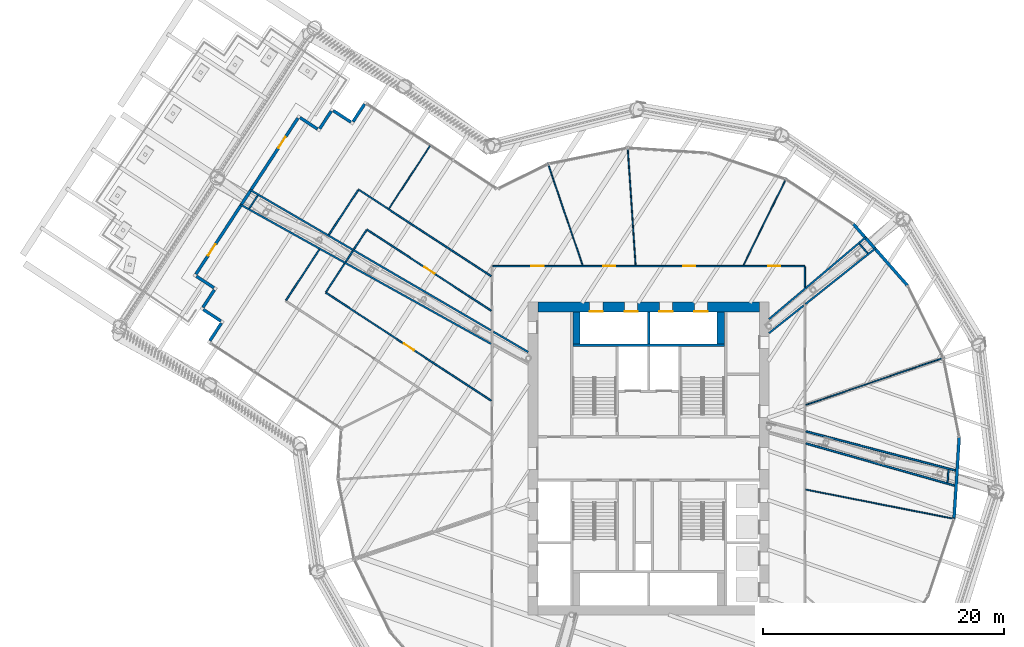
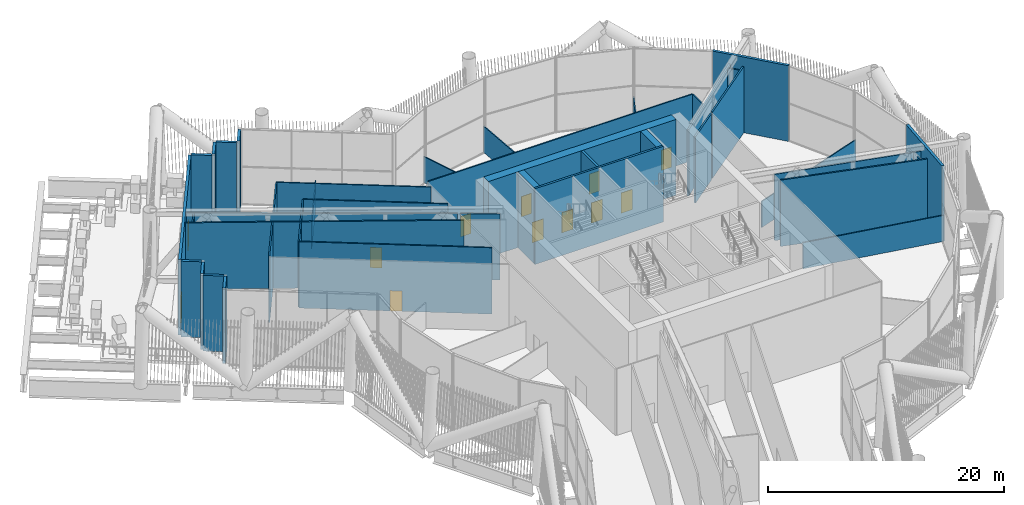
# One storey, part 41 of 63: 43 walls, 12 doors, 12 openings.
"""IFC4 building model written with IfcOpenShell, lengths in metres."""

from ifc_helpers import new_model, si_unit, direction, frame, frame_2d, origin, place, context, subcontext, project, spatial, rectangle, extrude, material, layer, layer_set, type_object, element, fill, save


model = new_model("IFC4")

# Units and contexts
model_context = context("Model", 3, precision=1e-05, world=origin(), true_north=direction((0.0, 1.0)))
body_context = subcontext(model_context, "Body", "Model", "MODEL_VIEW")
ifc_project = project(units=[si_unit("LENGTHUNIT", "METRE"), si_unit("AREAUNIT", "SQUARE_METRE"), si_unit("VOLUMEUNIT", "CUBIC_METRE"), si_unit("PLANEANGLEUNIT", "RADIAN"), si_unit("MASSUNIT", "GRAM", prefix="KILO")], contexts=[model_context])

# Site, building, storey
site_placement = place(None, origin())
site = spatial("IfcSite", under=ifc_project, at=site_placement, CompositionType="ELEMENT")
building_placement = place(site_placement, origin())
building = spatial("IfcBuilding", under=site, at=building_placement, Name="Tarsis Ring Headquarters", CompositionType="ELEMENT")
storey_placement = place(building_placement, frame((0.0, 0.0, 139.60009765625)))
storey = spatial("IfcBuildingStorey", under=building, at=storey_placement, Name="L32", CompositionType="ELEMENT", Elevation=139.60009765625)

# Wall, openings, doors
ifc_material_1 = material(Name="Concrete C60/75", Category="concrete")
ifc_layer_1 = layer(ifc_material_1, 0.800048828125)
ifc_layer_set_1 = layer_set([ifc_layer_1], Name="Core wall 800 C60/75")
wall_type_1 = type_object("IfcWallType", Name="Core wall 800 C60/75", PredefinedType="SHEAR", material=ifc_layer_set_1)
wall_1_placement = place(storey_placement, frame((-9.199951171875, 12.60009765625, 0.0), z_axis=(0.0, 0.0, 1.0), x_axis=(1.0, 0.0, 0.0)))
wall_1 = element("IfcWall", 1, at=wall_1_placement, inside=storey, type_object=wall_type_1, Name="Core wall ON", PredefinedType="SHEAR", context=body_context, shape_type="SweptSolid", body=[
    extrude(rectangle(XDim=18.39990234375, YDim=0.800048828125, at=frame_2d((9.199951171875, 0.0))), origin(), (0.0, 0.0, 1.0), 7.83984375),
])
opening_1_placement = place(wall_1_placement, frame((4.300048828125, 0.0, 0.0)))
opening_1 = element("IfcOpeningElement", 2, at=opening_1_placement, cuts=wall_1, Name="Opening LD-S321", PredefinedType="OPENING", context=body_context, shape_type="SweptSolid", body=[
    extrude(rectangle(XDim=1.10009765625, YDim=2.10009765625, at=frame_2d((0.550048828125, 1.050048828125))), frame((0.0, 0.409912109375, 0.0), z_axis=(0.0, -1.0, 0.0), x_axis=(1.0, 0.0, 0.0)), (0.0, 0.0, 1.0), 0.820068359375),
])
opening_2_placement = place(wall_1_placement, frame((7.199951171875, 0.0, 0.0)))
opening_2 = element("IfcOpeningElement", 3, at=opening_2_placement, cuts=wall_1, Name="Opening LD-S322", PredefinedType="OPENING", context=body_context, shape_type="SweptSolid", body=[
    extrude(rectangle(XDim=1.10009765625, YDim=2.10009765625, at=frame_2d((0.550048828125, 1.050048828125))), frame((0.0, 0.409912109375, 0.0), z_axis=(0.0, -1.0, 0.0), x_axis=(1.0, 0.0, 0.0)), (0.0, 0.0, 1.0), 0.820068359375),
])
opening_3_placement = place(wall_1_placement, frame((10.10009765625, 0.0, 0.0)))
opening_3 = element("IfcOpeningElement", 4, at=opening_3_placement, cuts=wall_1, Name="Opening LD-S323", PredefinedType="OPENING", context=body_context, shape_type="SweptSolid", body=[
    extrude(rectangle(XDim=1.10009765625, YDim=2.10009765625, at=frame_2d((0.550048828125, 1.050048828125))), frame((0.0, 0.409912109375, 0.0), z_axis=(0.0, -1.0, 0.0), x_axis=(1.0, 0.0, 0.0)), (0.0, 0.0, 1.0), 0.820068359375),
])
opening_4_placement = place(wall_1_placement, frame((13.0, 0.0, 0.0)))
opening_4 = element("IfcOpeningElement", 5, at=opening_4_placement, cuts=wall_1, Name="Opening LD-S324", PredefinedType="OPENING", context=body_context, shape_type="SweptSolid", body=[
    extrude(rectangle(XDim=1.10009765625, YDim=2.10009765625, at=frame_2d((0.550048828125, 1.050048828125))), frame((0.0, 0.409912109375, 0.0), z_axis=(0.0, -1.0, 0.0), x_axis=(1.0, 0.0, 0.0)), (0.0, 0.0, 1.0), 0.820068359375),
])
ifc_material_2 = material(Name="Steel S355", Category="steel")
door_type_1 = type_object("IfcDoorType", Name="Landing door 1100x2100", OperationType="SLIDING_TO_LEFT", PredefinedType="DOOR", material=ifc_material_2)
door_1_placement = place(opening_1_placement, origin())
door_1 = element("IfcDoor", 6, at=door_1_placement, inside=storey, type_object=door_type_1, Name="Landing door S321 L32", OperationType="SLIDING_TO_LEFT", OverallHeight=2.10009765625, OverallWidth=1.10009765625, PredefinedType="DOOR", context=body_context, shape_type="SweptSolid", body=[
    extrude(rectangle(XDim=1.10009765625, YDim=2.10009765625, at=frame_2d((0.550048828125, 1.050048828125))), frame((0.0, -0.35009765625, 0.0), z_axis=(0.0, -1.0, 0.0), x_axis=(1.0, 0.0, 0.0)), (0.0, 0.0, 1.0), 0.050048828125),
])
fill(opening_1, door_1)
door_2_placement = place(opening_2_placement, origin())
door_2 = element("IfcDoor", 7, at=door_2_placement, inside=storey, type_object=door_type_1, Name="Landing door S322 L32", OperationType="SLIDING_TO_LEFT", OverallHeight=2.10009765625, OverallWidth=1.10009765625, PredefinedType="DOOR", context=body_context, shape_type="SweptSolid", body=[
    extrude(rectangle(XDim=1.10009765625, YDim=2.10009765625, at=frame_2d((0.550048828125, 1.050048828125))), frame((0.0, -0.35009765625, 0.0), z_axis=(0.0, -1.0, 0.0), x_axis=(1.0, 0.0, 0.0)), (0.0, 0.0, 1.0), 0.050048828125),
])
fill(opening_2, door_2)
door_3_placement = place(opening_3_placement, origin())
door_3 = element("IfcDoor", 8, at=door_3_placement, inside=storey, type_object=door_type_1, Name="Landing door S323 L32", OperationType="SLIDING_TO_LEFT", OverallHeight=2.10009765625, OverallWidth=1.10009765625, PredefinedType="DOOR", context=body_context, shape_type="SweptSolid", body=[
    extrude(rectangle(XDim=1.10009765625, YDim=2.10009765625, at=frame_2d((0.550048828125, 1.050048828125))), frame((0.0, -0.35009765625, 0.0), z_axis=(0.0, -1.0, 0.0), x_axis=(1.0, 0.0, 0.0)), (0.0, 0.0, 1.0), 0.050048828125),
])
fill(opening_3, door_3)
door_4_placement = place(opening_4_placement, origin())
door_4 = element("IfcDoor", 9, at=door_4_placement, inside=storey, type_object=door_type_1, Name="Landing door S324 L32", OperationType="SLIDING_TO_LEFT", OverallHeight=2.10009765625, OverallWidth=1.10009765625, PredefinedType="DOOR", context=body_context, shape_type="SweptSolid", body=[
    extrude(rectangle(XDim=1.10009765625, YDim=2.10009765625, at=frame_2d((0.550048828125, 1.050048828125))), frame((0.0, -0.35009765625, 0.0), z_axis=(0.0, -1.0, 0.0), x_axis=(1.0, 0.0, 0.0)), (0.0, 0.0, 1.0), 0.050048828125),
])
fill(opening_4, door_4)

# Walls
ifc_material_3 = material(Name="Gypsum board on steel studs", Category="steel")
ifc_layer_2 = layer(ifc_material_3, 0.10009765625)
ifc_layer_set_2 = layer_set([ifc_layer_2], Name="FL partition 100 unrated")
wall_type_2 = type_object("IfcWallType", Name="FL partition 100 unrated", PredefinedType="PARTITIONING", material=ifc_layer_set_2)
wall_2_placement = place(storey_placement, frame((13.068603515625, -2.578125, 0.0), z_axis=(0.0, 0.0, 1.0), x_axis=(0.981089683082, -0.19355369733, 0.0)))
element("IfcWall", 10, at=wall_2_placement, inside=storey, type_object=wall_type_2, Name="Partition PW3", PredefinedType="PARTITIONING", context=body_context, shape_type="SweptSolid", body=[
    extrude(rectangle(XDim=12.62744140625, YDim=0.10009765625, at=frame_2d((6.313720703125, 0.0))), origin(), (0.0, 0.0, 1.0), 2.699951171875),
])
wall_3_placement = place(storey_placement, frame((13.07568359375, 4.46142578125, 0.0), z_axis=(0.0, 0.0, 1.0), x_axis=(0.946423829492, 0.322927135698, 0.0)))
element("IfcWall", 11, at=wall_3_placement, inside=storey, type_object=wall_type_2, Name="Partition PW3", PredefinedType="PARTITIONING", context=body_context, shape_type="SweptSolid", body=[
    extrude(rectangle(XDim=12.1318359375, YDim=0.10009765625, at=frame_2d((6.06591796875, 0.0))), origin(), (0.0, 0.0, 1.0), 2.699951171875),
])
wall_4_placement = place(storey_placement, frame((-1.73779296875, 25.8896484375, 0.0), z_axis=(0.0, 0.0, 1.0), x_axis=(0.066976710643, -0.997754539068, 0.0)))
element("IfcWall", 12, at=wall_4_placement, inside=storey, type_object=wall_type_2, Name="Partition PW3", PredefinedType="PARTITIONING", context=body_context, shape_type="SweptSolid", body=[
    extrude(rectangle(XDim=9.842041015625, YDim=0.10009765625, at=frame_2d((4.9208984375, 0.0))), origin(), (0.0, 0.0, 1.0), 2.699951171875),
])
wall_5_placement = place(storey_placement, frame((-8.379150390625, 24.5576171875, 0.0), z_axis=(0.0, 0.0, 1.0), x_axis=(0.322921296738, -0.94642582177, 0.0)))
element("IfcWall", 13, at=wall_5_placement, inside=storey, type_object=wall_type_2, Name="Partition PW3", PredefinedType="PARTITIONING", context=body_context, shape_type="SweptSolid", body=[
    extrude(rectangle(XDim=8.962158203125, YDim=0.10009765625, at=frame_2d((4.48095703125, 0.0))), origin(), (0.0, 0.0, 1.0), 2.699951171875),
])
wall_6_placement = place(storey_placement, frame((7.898681640625, 16.080810546875, 0.0), z_axis=(0.0, 0.0, 1.0), x_axis=(0.440904309262, 0.897554115401, 0.0)))
element("IfcWall", 14, at=wall_6_placement, inside=storey, type_object=wall_type_2, Name="Partition PW3", PredefinedType="PARTITIONING", context=body_context, shape_type="SweptSolid", body=[
    extrude(rectangle(XDim=8.03173828125, YDim=0.10009765625, at=frame_2d((4.015869140625, 0.0))), origin(), (0.0, 0.0, 1.0), 2.699951171875),
])
wall_7_placement = place(storey_placement, frame((-21.56591796875, 20.780029296875, 0.0), z_axis=(0.0, 0.0, 1.0), x_axis=(0.54701109452, 0.837125356486, 0.0)))
element("IfcWall", 15, at=wall_7_placement, inside=storey, type_object=wall_type_2, Name="Partition PW3", PredefinedType="PARTITIONING", context=body_context, shape_type="SweptSolid", body=[
    extrude(rectangle(XDim=6.35009765625, YDim=0.10009765625, at=frame_2d((3.175048828125, 0.0))), origin(), (0.0, 0.0, 1.0), 2.699951171875),
])

# Wall, openings, doors
ifc_layer_3 = layer(ifc_material_3, 0.125)
ifc_layer_set_3 = layer_set([ifc_layer_3], Name="FL partition 125 EI 60 H6870")
wall_type_3 = type_object("IfcWallType", Name="FL partition 125 EI 60 H6870", PredefinedType="PARTITIONING", material=ifc_layer_set_3)
wall_8_placement = place(storey_placement, frame((-12.93994140625, 16.0, 0.0), z_axis=(0.0, 0.0, 1.0), x_axis=(1.0, 0.0, 0.0)))
wall_8 = element("IfcWall", 16, at=wall_8_placement, inside=storey, type_object=wall_type_3, Name="Partition PW1H687", PredefinedType="PARTITIONING", context=body_context, shape_type="SweptSolid", body=[
    extrude(rectangle(XDim=25.93994140625, YDim=0.125, at=frame_2d((12.969970703125, 0.0))), origin(), (0.0, 0.0, 1.0), 6.869873046875),
])
opening_5_placement = place(wall_8_placement, frame((3.210205078125, 0.0, 0.0)))
opening_5 = element("IfcOpeningElement", 17, at=opening_5_placement, cuts=wall_8, Name="Opening D32.02", PredefinedType="OPENING", context=body_context, shape_type="SweptSolid", body=[
    extrude(rectangle(XDim=1.0, YDim=2.10009765625, at=frame_2d((0.5, 1.050048828125))), frame((0.0, 0.072509765625, 0.0), z_axis=(0.0, -1.0, 0.0), x_axis=(1.0, 0.0, 0.0)), (0.0, 0.0, 1.0), 0.14501953125),
])
opening_6_placement = place(wall_8_placement, frame((9.17333984375, 0.0, 0.0)))
opening_6 = element("IfcOpeningElement", 18, at=opening_6_placement, cuts=wall_8, Name="Opening D32.03", PredefinedType="OPENING", context=body_context, shape_type="SweptSolid", body=[
    extrude(rectangle(XDim=1.0, YDim=2.10009765625, at=frame_2d((0.5, 1.050048828125))), frame((0.0, 0.072509765625, 0.0), z_axis=(0.0, -1.0, 0.0), x_axis=(1.0, 0.0, 0.0)), (0.0, 0.0, 1.0), 0.14501953125),
])
opening_7_placement = place(wall_8_placement, frame((15.83251953125, 0.0, 0.0)))
opening_7 = element("IfcOpeningElement", 19, at=opening_7_placement, cuts=wall_8, Name="Opening D32.04", PredefinedType="OPENING", context=body_context, shape_type="SweptSolid", body=[
    extrude(rectangle(XDim=1.0, YDim=2.10009765625, at=frame_2d((0.5, 1.050048828125))), frame((0.0, 0.072509765625, 0.0), z_axis=(0.0, -1.0, 0.0), x_axis=(1.0, 0.0, 0.0)), (0.0, 0.0, 1.0), 0.14501953125),
])
opening_8_placement = place(wall_8_placement, frame((22.86962890625, 0.0, 0.0)))
opening_8 = element("IfcOpeningElement", 20, at=opening_8_placement, cuts=wall_8, Name="Opening D32.05", PredefinedType="OPENING", context=body_context, shape_type="SweptSolid", body=[
    extrude(rectangle(XDim=1.0, YDim=2.10009765625, at=frame_2d((0.5, 1.050048828125))), frame((0.0, 0.072509765625, 0.0), z_axis=(0.0, -1.0, 0.0), x_axis=(1.0, 0.0, 0.0)), (0.0, 0.0, 1.0), 0.14501953125),
])
ifc_material_4 = material(Name="Fire-rated timber door leaf in steel frame", Category="steel")
door_type_2 = type_object("IfcDoorType", Name="FL door FD60-1000", OperationType="NOTDEFINED", PredefinedType="DOOR", material=ifc_material_4)
door_5_placement = place(opening_5_placement, origin())
door_5 = element("IfcDoor", 21, at=door_5_placement, inside=storey, type_object=door_type_2, Name="Door D32.02", OperationType="SINGLE_SWING_RIGHT", OverallHeight=2.10009765625, OverallWidth=1.0, PredefinedType="DOOR", context=body_context, shape_type="SweptSolid", body=[
    extrude(rectangle(XDim=1.0, YDim=2.10009765625, at=frame_2d((0.5, 1.050048828125))), frame((0.0, 0.02490234375, 0.0), z_axis=(0.0, -1.0, 0.0), x_axis=(1.0, 0.0, 0.0)), (0.0, 0.0, 1.0), 0.050048828125),
])
fill(opening_5, door_5)
door_6_placement = place(opening_6_placement, origin())
door_6 = element("IfcDoor", 22, at=door_6_placement, inside=storey, type_object=door_type_2, Name="Door D32.03", OperationType="SINGLE_SWING_LEFT", OverallHeight=2.10009765625, OverallWidth=1.0, PredefinedType="DOOR", context=body_context, shape_type="SweptSolid", body=[
    extrude(rectangle(XDim=1.0, YDim=2.10009765625, at=frame_2d((0.5, 1.050048828125))), frame((0.0, 0.02490234375, 0.0), z_axis=(0.0, -1.0, 0.0), x_axis=(1.0, 0.0, 0.0)), (0.0, 0.0, 1.0), 0.050048828125),
])
fill(opening_6, door_6)
door_7_placement = place(opening_7_placement, origin())
door_7 = element("IfcDoor", 23, at=door_7_placement, inside=storey, type_object=door_type_2, Name="Door D32.04", OperationType="SINGLE_SWING_RIGHT", OverallHeight=2.10009765625, OverallWidth=1.0, PredefinedType="DOOR", context=body_context, shape_type="SweptSolid", body=[
    extrude(rectangle(XDim=1.0, YDim=2.10009765625, at=frame_2d((0.5, 1.050048828125))), frame((0.0, 0.02490234375, 0.0), z_axis=(0.0, -1.0, 0.0), x_axis=(1.0, 0.0, 0.0)), (0.0, 0.0, 1.0), 0.050048828125),
])
fill(opening_7, door_7)
door_8_placement = place(opening_8_placement, origin())
door_8 = element("IfcDoor", 24, at=door_8_placement, inside=storey, type_object=door_type_2, Name="Door D32.05", OperationType="SINGLE_SWING_LEFT", OverallHeight=2.10009765625, OverallWidth=1.0, PredefinedType="DOOR", context=body_context, shape_type="SweptSolid", body=[
    extrude(rectangle(XDim=1.0, YDim=2.10009765625, at=frame_2d((0.5, 1.050048828125))), frame((0.0, 0.02490234375, 0.0), z_axis=(0.0, -1.0, 0.0), x_axis=(1.0, 0.0, 0.0)), (0.0, 0.0, 1.0), 0.050048828125),
])
fill(opening_8, door_8)

# Wall, opening, door
wall_9_placement = place(storey_placement, frame((-26.834716796875, 13.794677734375, 0.0), z_axis=(0.0, 0.0, 1.0), x_axis=(0.837141336194, -0.546986638992, 0.0)))
wall_9 = element("IfcWall", 25, at=wall_9_placement, inside=storey, type_object=wall_type_3, Name="Partition PW1H687", PredefinedType="PARTITIONING", context=body_context, shape_type="SweptSolid", body=[
    extrude(rectangle(XDim=16.426025390625, YDim=0.125, at=frame_2d((8.212890625, 0.0))), origin(), (0.0, 0.0, 1.0), 6.869873046875),
])
opening_9_placement = place(wall_9_placement, frame((7.763916015625, 0.0, 0.0)))
opening_9 = element("IfcOpeningElement", 26, at=opening_9_placement, cuts=wall_9, Name="Opening D32.14", PredefinedType="OPENING", context=body_context, shape_type="SweptSolid", body=[
    extrude(rectangle(XDim=1.0, YDim=2.10009765625, at=frame_2d((0.5, 1.050048828125))), frame((0.0, 0.072509765625, 0.0), z_axis=(0.0, -1.0, 0.0), x_axis=(1.0, 0.0, 0.0)), (0.0, 0.0, 1.0), 0.14501953125),
])
door_9_placement = place(opening_9_placement, origin())
door_9 = element("IfcDoor", 27, at=door_9_placement, inside=storey, type_object=door_type_2, Name="Door D32.14", OperationType="SINGLE_SWING_RIGHT", OverallHeight=2.10009765625, OverallWidth=1.0, PredefinedType="DOOR", context=body_context, shape_type="SweptSolid", body=[
    extrude(rectangle(XDim=1.0, YDim=2.10009765625, at=frame_2d((0.5, 1.050048828125))), frame((0.0, 0.02490234375, 0.0), z_axis=(0.0, -1.0, 0.0), x_axis=(1.0, 0.0, 0.0)), (0.0, 0.0, 1.0), 0.050048828125),
])
fill(opening_9, door_9)

# Wall
wall_10_placement = place(storey_placement, frame((-24.107177734375, 22.35693359375, 0.0), z_axis=(0.0, 0.0, 1.0), x_axis=(0.837151824064, -0.546970587387, 0.0)))
element("IfcWall", 28, at=wall_10_placement, inside=storey, type_object=wall_type_3, Name="Partition PW1H687", PredefinedType="PARTITIONING", context=body_context, shape_type="SweptSolid", body=[
    extrude(rectangle(XDim=13.167724609375, YDim=0.125, at=frame_2d((6.583984375, 0.0))), origin(), (0.0, 0.0, 1.0), 6.869873046875),
])

# Wall, opening, door
wall_11_placement = place(storey_placement, frame((-23.41064453125, 19.03515625, 0.0), z_axis=(0.0, 0.0, 1.0), x_axis=(0.837142154521, -0.546985386573, 0.0)))
wall_11 = element("IfcWall", 29, at=wall_11_placement, inside=storey, type_object=wall_type_3, Name="Partition PW1H687", PredefinedType="PARTITIONING", context=body_context, shape_type="SweptSolid", body=[
    extrude(rectangle(XDim=12.3359375, YDim=0.125, at=frame_2d((6.16796875, 0.0))), origin(), (0.0, 0.0, 1.0), 6.869873046875),
])
opening_10_placement = place(wall_11_placement, frame((5.718994140625, 0.0, 0.0)))
opening_10 = element("IfcOpeningElement", 30, at=opening_10_placement, cuts=wall_11, Name="Opening D32.15", PredefinedType="OPENING", context=body_context, shape_type="SweptSolid", body=[
    extrude(rectangle(XDim=1.0, YDim=2.10009765625, at=frame_2d((0.5, 1.050048828125))), frame((0.0, 0.072509765625, 0.0), z_axis=(0.0, -1.0, 0.0), x_axis=(1.0, 0.0, 0.0)), (0.0, 0.0, 1.0), 0.14501953125),
])
door_10_placement = place(opening_10_placement, origin())
door_10 = element("IfcDoor", 31, at=door_10_placement, inside=storey, type_object=door_type_2, Name="Door D32.15", OperationType="SINGLE_SWING_LEFT", OverallHeight=2.10009765625, OverallWidth=1.0, PredefinedType="DOOR", context=body_context, shape_type="SweptSolid", body=[
    extrude(rectangle(XDim=1.0, YDim=2.10009765625, at=frame_2d((0.5, 1.050048828125))), frame((0.0, 0.02490234375, 0.0), z_axis=(0.0, -1.0, 0.0), x_axis=(1.0, 0.0, 0.0)), (0.0, 0.0, 1.0), 0.050048828125),
])
fill(opening_10, door_10)

# Walls
wall_12_placement = place(storey_placement, frame((-26.802001953125, 13.8447265625, 0.0), z_axis=(0.0, 0.0, 1.0), x_axis=(0.546976120371, 0.837148208947, 0.0)))
element("IfcWall", 32, at=wall_12_placement, inside=storey, type_object=wall_type_3, Name="Partition PW1H687", PredefinedType="PARTITIONING", context=body_context, shape_type="SweptSolid", body=[
    extrude(rectangle(XDim=2.81689453125, YDim=0.125, at=frame_2d((1.408447265625, 0.0))), origin(), (0.0, 0.0, 1.0), 6.869873046875),
])
wall_13_placement = place(storey_placement, frame((-25.174072265625, 16.336181640625, 0.0), z_axis=(0.0, 0.0, 1.0), x_axis=(0.546992146672, 0.83713773746, 0.0)))
element("IfcWall", 33, at=wall_13_placement, inside=storey, type_object=wall_type_3, Name="Partition PW1H687", PredefinedType="PARTITIONING", context=body_context, shape_type="SweptSolid", body=[
    extrude(rectangle(XDim=1.099853515625, YDim=0.125, at=frame_2d((0.5498046875, 0.0))), origin(), (0.0, 0.0, 1.0), 6.869873046875),
])
wall_14_placement = place(storey_placement, frame((-24.48681640625, 17.387939453125, 0.0), z_axis=(0.0, 0.0, 1.0), x_axis=(0.546907918218, 0.837192766924, 0.0)))
element("IfcWall", 34, at=wall_14_placement, inside=storey, type_object=wall_type_3, Name="Partition PW1H687", PredefinedType="PARTITIONING", context=body_context, shape_type="SweptSolid", body=[
    extrude(rectangle(XDim=1.907470703125, YDim=0.125, at=frame_2d((0.95361328125, 0.0))), origin(), (0.0, 0.0, 1.0), 6.869873046875),
])
wall_15_placement = place(storey_placement, frame((-30.123779296875, 13.1484375, 0.0), z_axis=(0.0, 0.0, 1.0), x_axis=(0.546970291425, 0.837152017437, 0.0)))
element("IfcWall", 35, at=wall_15_placement, inside=storey, type_object=wall_type_3, Name="Partition PW1H687", PredefinedType="PARTITIONING", context=body_context, shape_type="SweptSolid", body=[
    extrude(rectangle(XDim=5.044677734375, YDim=0.125, at=frame_2d((2.5224609375, 0.0))), origin(), (0.0, 0.0, 1.0), 6.869873046875),
])
wall_16_placement = place(storey_placement, frame((-26.563720703125, 18.59716796875, 0.0), z_axis=(0.0, 0.0, 1.0), x_axis=(0.546971751225, 0.837151063645, 0.0)))
element("IfcWall", 36, at=wall_16_placement, inside=storey, type_object=wall_type_3, Name="Partition PW1H687", PredefinedType="PARTITIONING", context=body_context, shape_type="SweptSolid", body=[
    extrude(rectangle(XDim=4.431396484375, YDim=0.125, at=frame_2d((2.2158203125, 0.0))), origin(), (0.0, 0.0, 1.0), 6.869873046875),
])
wall_17_placement = place(storey_placement, frame((13.0, 14.248779296875, 0.0), z_axis=(0.0, 0.0, 1.0), x_axis=(0.0, 1.0, 0.0)))
element("IfcWall", 37, at=wall_17_placement, inside=storey, type_object=wall_type_3, Name="Partition PW1H687", PredefinedType="PARTITIONING", context=body_context, shape_type="SweptSolid", body=[
    extrude(rectangle(XDim=1.691162109375, YDim=0.125, at=frame_2d((0.845703125, 0.0))), origin(), (0.0, 0.0, 1.0), 6.869873046875),
])
wall_18_placement = place(storey_placement, frame((-33.18310546875, 20.788330078125, 0.0), z_axis=(0.0, 0.0, 1.0), x_axis=(0.546946805646, 0.837167361878, 0.0)))
element("IfcWall", 38, at=wall_18_placement, inside=storey, type_object=wall_type_3, Name="Partition PW1H687", PredefinedType="PARTITIONING", context=body_context, shape_type="SweptSolid", body=[
    extrude(rectangle(XDim=1.282958984375, YDim=0.125, at=frame_2d((0.6416015625, 0.0))), origin(), (0.0, 0.0, 1.0), 6.869873046875),
])
wall_19_placement = place(storey_placement, frame((24.852783203125, -2.00341796875, 0.0), z_axis=(0.0, 0.0, 1.0), x_axis=(0.063800831498, 0.997962651556, 0.0)))
element("IfcWall", 39, at=wall_19_placement, inside=storey, type_object=wall_type_3, Name="Partition PW1H687", PredefinedType="PARTITIONING", context=body_context, shape_type="SweptSolid", body=[
    extrude(rectangle(XDim=1.0791015625, YDim=0.125, at=frame_2d((0.53955078125, 0.0))), origin(), (0.0, 0.0, 1.0), 6.869873046875),
])
wall_20_placement = place(storey_placement, frame((17.51708984375, 17.83154296875, 0.0), z_axis=(0.0, 0.0, 1.0), x_axis=(0.660500624253, -0.750825495945, 0.0)))
element("IfcWall", 40, at=wall_20_placement, inside=storey, type_object=wall_type_3, Name="Partition PW1H687", PredefinedType="PARTITIONING", context=body_context, shape_type="SweptSolid", body=[
    extrude(rectangle(XDim=1.037841796875, YDim=0.125, at=frame_2d((0.51904296875, 0.0))), origin(), (0.0, 0.0, 1.0), 6.869873046875),
])
ifc_layer_4 = layer(ifc_material_3, 0.14990234375)
ifc_layer_set_4 = layer_set([ifc_layer_4], Name="FL partition 150 EI 120 H6870")
wall_type_4 = type_object("IfcWallType", Name="FL partition 150 EI 120 H6870", PredefinedType="PARTITIONING", material=ifc_layer_set_4)
wall_21_placement = place(storey_placement, frame((-33.927734375, 21.110595703125, 0.0), z_axis=(0.0, 0.0, 1.0), x_axis=(0.874071241192, -0.485797761749, 0.0)))
element("IfcWall", 41, at=wall_21_placement, inside=storey, type_object=wall_type_4, Name="Partition PW2H687", PredefinedType="PARTITIONING", context=body_context, shape_type="SweptSolid", body=[
    extrude(rectangle(XDim=23.82958984375, YDim=0.14990234375, at=frame_2d((11.914794921875, 0.0))), origin(), (0.0, 0.0, 1.0), 6.869873046875),
])
wall_22_placement = place(storey_placement, frame((-33.1279296875, 22.33544921875, 0.0), z_axis=(0.0, 0.0, 1.0), x_axis=(0.86389613809, -0.503669993739, 0.0)))
element("IfcWall", 42, at=wall_22_placement, inside=storey, type_object=wall_type_4, Name="Partition PW2H687", PredefinedType="PARTITIONING", context=body_context, shape_type="SweptSolid", body=[
    extrude(rectangle(XDim=23.182861328125, YDim=0.14990234375, at=frame_2d((11.59130859375, 0.0))), origin(), (0.0, 0.0, 1.0), 6.869873046875),
])
wall_23_placement = place(storey_placement, frame((-12.899658203125, 10.5419921875, 0.0), z_axis=(0.0, 0.0, 1.0), x_axis=(0.863884343415, -0.503690223454, 0.0)))
element("IfcWall", 43, at=wall_23_placement, inside=storey, type_object=wall_type_4, Name="Partition PW2H687", PredefinedType="PARTITIONING", context=body_context, shape_type="SweptSolid", body=[
    extrude(rectangle(XDim=3.3583984375, YDim=0.14990234375, at=frame_2d((1.67919921875, 0.0))), origin(), (0.0, 0.0, 1.0), 6.869873046875),
])
wall_24_placement = place(storey_placement, frame((13.0830078125, 1.254150390625, 0.0), z_axis=(0.0, 0.0, 1.0), x_axis=(0.961975502492, -0.273135740256, 0.0)))
element("IfcWall", 44, at=wall_24_placement, inside=storey, type_object=wall_type_4, Name="Partition PW2H687", PredefinedType="PARTITIONING", context=body_context, shape_type="SweptSolid", body=[
    extrude(rectangle(XDim=13.040283203125, YDim=0.14990234375, at=frame_2d((6.52001953125, 0.0))), origin(), (0.0, 0.0, 1.0), 6.869873046875),
])
wall_25_placement = place(storey_placement, frame((13.08154296875, 2.2548828125, 0.0), z_axis=(0.0, 0.0, 1.0), x_axis=(0.967487619862, -0.252918376978, 0.0)))
element("IfcWall", 45, at=wall_25_placement, inside=storey, type_object=wall_type_4, Name="Partition PW2H687", PredefinedType="PARTITIONING", context=body_context, shape_type="SweptSolid", body=[
    extrude(rectangle(XDim=13.05078125, YDim=0.14990234375, at=frame_2d((6.525390625, 0.0))), origin(), (0.0, 0.0, 1.0), 6.869873046875),
])
wall_26_placement = place(storey_placement, frame((10.001220703125, 10.41748046875, 0.0), z_axis=(0.0, 0.0, 1.0), x_axis=(0.782343367706, 0.622847376976, 0.0)))
element("IfcWall", 46, at=wall_26_placement, inside=storey, type_object=wall_type_4, Name="Partition PW2H687", PredefinedType="PARTITIONING", context=body_context, shape_type="SweptSolid", body=[
    extrude(rectangle(XDim=3.693603515625, YDim=0.14990234375, at=frame_2d((1.8466796875, 0.0))), origin(), (0.0, 0.0, 1.0), 6.869873046875),
])
wall_27_placement = place(storey_placement, frame((13.03955078125, 12.83642578125, 0.0), z_axis=(0.0, 0.0, 1.0), x_axis=(0.782308467337, 0.622891211957, 0.0)))
element("IfcWall", 47, at=wall_27_placement, inside=storey, type_object=wall_type_4, Name="Partition PW2H687", PredefinedType="PARTITIONING", context=body_context, shape_type="SweptSolid", body=[
    extrude(rectangle(XDim=7.46728515625, YDim=0.14990234375, at=frame_2d((3.733642578125, 0.0))), origin(), (0.0, 0.0, 1.0), 6.869873046875),
])
wall_28_placement = place(storey_placement, frame((10.00146484375, 11.581787109375, 0.0), z_axis=(0.0, 0.0, 1.0), x_axis=(0.763769002668, 0.645489667279, 0.0)))
element("IfcWall", 48, at=wall_28_placement, inside=storey, type_object=wall_type_4, Name="Partition PW2H687", PredefinedType="PARTITIONING", context=body_context, shape_type="SweptSolid", body=[
    extrude(rectangle(XDim=10.5703125, YDim=0.14990234375, at=frame_2d((5.28515625, 0.0))), origin(), (0.0, 0.0, 1.0), 6.869873046875),
])
ifc_material_5 = material(Name="Terracotta clad insulated panel wall", Category="masonry")
ifc_layer_5 = layer(ifc_material_5, 0.25)
ifc_layer_set_5 = layer_set([ifc_layer_5], Name="Facade wall terracotta panel 250")
wall_type_5 = type_object("IfcWallType", Name="Facade wall terracotta panel 250", PredefinedType="STANDARD", material=ifc_layer_set_5)
wall_29_placement = place(storey_placement, frame((25.3828125, -5.036376953125, 0.0), z_axis=(0.0, 0.0, 1.0), x_axis=(0.063835346458, 0.997960444378, 0.0)))
element("IfcWall", 49, at=wall_29_placement, inside=storey, type_object=wall_type_5, Name="External wall L32-22", PredefinedType="STANDARD", context=body_context, shape_type="SweptSolid", body=[
    extrude(rectangle(XDim=6.8115234375, YDim=0.25, at=frame_2d((3.40576171875, 0.0))), origin(), (0.0, 0.0, 1.0), 7.83984375),
])
wall_30_placement = place(storey_placement, frame((21.509521484375, 14.38720703125, 0.0), z_axis=(0.0, 0.0, 1.0), x_axis=(-0.66051961487, 0.750808789488, 0.0)))
element("IfcWall", 50, at=wall_30_placement, inside=storey, type_object=wall_type_5, Name="External wall L32-25", PredefinedType="STANDARD", context=body_context, shape_type="SweptSolid", body=[
    extrude(rectangle(XDim=6.811279296875, YDim=0.25, at=frame_2d((3.40576171875, 0.0))), origin(), (0.0, 0.0, 1.0), 7.83984375),
])
wall_31_placement = place(storey_placement, frame((-23.605712890625, 29.459228515625, 0.0), z_axis=(0.0, 0.0, 1.0), x_axis=(-0.54694858401, -0.837166200016, 0.0)))
element("IfcWall", 51, at=wall_31_placement, inside=storey, type_object=wall_type_5, Name="External wall L32-32", PredefinedType="STANDARD", context=body_context, shape_type="SweptSolid", body=[
    extrude(rectangle(XDim=1.749755859375, YDim=0.25, at=frame_2d((0.875, 0.0))), origin(), (0.0, 0.0, 1.0), 7.83984375),
])
for number, where, z_axis, x_axis, name in (
    (52, (-24.73583984375, 27.9580078125, 0.0), (0.0, 0.0, 1.0), (-0.8371440558, 0.546982476719, 0.0), "External wall L32-33"),
    (53, (-26.373779296875, 28.87890625, 0.0), (0.0, 0.0, 1.0), (-0.547046360421, -0.83710231128, 0.0), "External wall L32-34"),
    (54, (-27.504150390625, 27.377685546875, 0.0), (0.0, 0.0, 1.0), (-0.83710231128, 0.547046360421, 0.0), "External wall L32-35"),
):
    element("IfcWall", number, at=place(storey_placement, frame(where, z_axis=z_axis, x_axis=x_axis)), inside=storey, type_object=wall_type_5, Name=name, PredefinedType="STANDARD", context=body_context, shape_type="SweptSolid", body=[
        extrude(rectangle(XDim=1.75, YDim=0.25, at=frame_2d((0.875, 0.0))), origin(), (0.0, 0.0, 1.0), 7.83984375),
    ])

# Wall, openings, doors
wall_32_placement = place(storey_placement, frame((-29.14208984375, 28.298583984375, 0.0), z_axis=(0.0, 0.0, 1.0), x_axis=(-0.546988765782, -0.837139946549, 0.0)))
wall_32 = element("IfcWall", 55, at=wall_32_placement, inside=storey, type_object=wall_type_5, Name="External wall L32-36", PredefinedType="STANDARD", context=body_context, shape_type="SweptSolid", body=[
    extrude(rectangle(XDim=15.5, YDim=0.25, at=frame_2d((7.75, 0.0))), origin(), (0.0, 0.0, 1.0), 7.83984375),
])
opening_11_placement = place(wall_32_placement, frame((1.86669921875, 0.0, 0.0)))
opening_11 = element("IfcOpeningElement", 56, at=opening_11_placement, cuts=wall_32, Name="Opening L32-BD01", PredefinedType="OPENING", context=body_context, shape_type="SweptSolid", body=[
    extrude(rectangle(XDim=1.10009765625, YDim=2.39990234375, at=frame_2d((0.550048828125, 1.199951171875))), frame((0.0, 0.135009765625, 0.0), z_axis=(0.0, -1.0, 0.0), x_axis=(1.0, 0.0, 0.0)), (0.0, 0.0, 1.0), 0.27001953125),
])
opening_12_placement = place(wall_32_placement, frame((12.533447265625, 0.0, 0.0)))
opening_12 = element("IfcOpeningElement", 57, at=opening_12_placement, cuts=wall_32, Name="Opening L32-BD02", PredefinedType="OPENING", context=body_context, shape_type="SweptSolid", body=[
    extrude(rectangle(XDim=1.10009765625, YDim=2.39990234375, at=frame_2d((0.550048828125, 1.199951171875))), frame((0.0, 0.135009765625, 0.0), z_axis=(0.0, -1.0, 0.0), x_axis=(1.0, 0.0, 0.0)), (0.0, 0.0, 1.0), 0.27001953125),
])
ifc_material_6 = material(Name="Aluminium framed double glazing", Category="aluminium")
door_type_3 = type_object("IfcDoorType", Name="Terrace sliding door 1100 x 2400", OperationType="SLIDING_TO_LEFT", PredefinedType="DOOR", material=ifc_material_6)
door_11_placement = place(opening_11_placement, origin())
door_11 = element("IfcDoor", 58, at=door_11_placement, inside=storey, type_object=door_type_3, Name="Door L32-BD01", OperationType="SINGLE_SWING_LEFT", OverallHeight=2.39990234375, OverallWidth=1.10009765625, PredefinedType="DOOR", context=body_context, shape_type="SweptSolid", body=[
    extrude(rectangle(XDim=1.10009765625, YDim=2.39990234375, at=frame_2d((0.550048828125, 1.199951171875))), frame((0.0, 0.02490234375, 0.0), z_axis=(0.0, -1.0, 0.0), x_axis=(1.0, 0.0, 0.0)), (0.0, 0.0, 1.0), 0.050048828125),
])
fill(opening_11, door_11)
door_12_placement = place(opening_12_placement, origin())
door_12 = element("IfcDoor", 59, at=door_12_placement, inside=storey, type_object=door_type_3, Name="Door L32-BD02", OperationType="SINGLE_SWING_LEFT", OverallHeight=2.39990234375, OverallWidth=1.10009765625, PredefinedType="DOOR", context=body_context, shape_type="SweptSolid", body=[
    extrude(rectangle(XDim=1.10009765625, YDim=2.39990234375, at=frame_2d((0.550048828125, 1.199951171875))), frame((0.0, 0.02490234375, 0.0), z_axis=(0.0, -1.0, 0.0), x_axis=(1.0, 0.0, 0.0)), (0.0, 0.0, 1.0), 0.050048828125),
])
fill(opening_12, door_12)

# Walls
for number, where, z_axis, x_axis, name in (
    (60, (-37.583984375, 15.14990234375, 0.0), (0.0, 0.0, 1.0), (0.83710231128, -0.547046360421, 0.0), "External wall L32-37"),
    (61, (-36.082763671875, 14.019775390625, 0.0), (0.0, 0.0, 1.0), (-0.546982476719, -0.8371440558, 0.0), "External wall L32-38"),
    (62, (-37.003662109375, 12.381591796875, 0.0), (0.0, 0.0, 1.0), (0.8371440558, -0.546982476719, 0.0), "External wall L32-39"),
    (63, (-35.50244140625, 11.25146484375, 0.0), (0.0, 0.0, 1.0), (-0.546982476719, -0.8371440558, 0.0), "External wall L32-40"),
):
    element("IfcWall", number, at=place(storey_placement, frame(where, z_axis=z_axis, x_axis=x_axis)), inside=storey, type_object=wall_type_5, Name=name, PredefinedType="STANDARD", context=body_context, shape_type="SweptSolid", body=[
        extrude(rectangle(XDim=1.75, YDim=0.25, at=frame_2d((0.875, 0.0))), origin(), (0.0, 0.0, 1.0), 7.83984375),
    ])
ifc_material_7 = material(Name="Concrete C32/40", Category="concrete")
ifc_layer_6 = layer(ifc_material_7, 0.60009765625)
ifc_layer_set_6 = layer_set([ifc_layer_6], Name="Shaft end wall 600 C32/40")
wall_type_6 = type_object("IfcWallType", Name="Shaft end wall 600 C32/40", PredefinedType="SOLIDWALL", material=ifc_layer_set_6)
for number, where, z_axis, x_axis, name in (
    (64, (-6.0, 9.5, 0.0), (0.0, 0.0, 1.0), (0.0, 1.0, 0.0), "Core shaft wall NNE1"),
    (65, (6.0, 9.5, 0.0), (0.0, 0.0, 1.0), (0.0, 1.0, 0.0), "Core shaft wall NNE2"),
):
    element("IfcWall", number, at=place(storey_placement, frame(where, z_axis=z_axis, x_axis=x_axis)), inside=storey, type_object=wall_type_6, Name=name, PredefinedType="SOLIDWALL", context=body_context, shape_type="SweptSolid", body=[
        extrude(rectangle(XDim=2.699951171875, YDim=0.60009765625, at=frame_2d((1.35009765625, 0.0))), origin(), (0.0, 0.0, 1.0), 7.83984375),
    ])
ifc_layer_7 = layer(ifc_material_7, 0.199951171875)
ifc_layer_set_7 = layer_set([ifc_layer_7], Name="Shaft wall 200 C32/40")
wall_type_7 = type_object("IfcWallType", Name="Shaft wall 200 C32/40", PredefinedType="SOLIDWALL", material=ifc_layer_set_7)
wall_33_placement = place(storey_placement, frame((-6.300048828125, 9.39990234375, 0.0), z_axis=(0.0, 0.0, 1.0), x_axis=(1.0, 0.0, 0.0)))
element("IfcWall", 66, at=wall_33_placement, inside=storey, type_object=wall_type_7, Name="Core shaft wall NB", PredefinedType="SOLIDWALL", context=body_context, shape_type="SweptSolid", body=[
    extrude(rectangle(XDim=12.60009765625, YDim=0.199951171875, at=frame_2d((6.300048828125, 0.0))), origin(), (0.0, 0.0, 1.0), 7.83984375),
])
wall_34_placement = place(storey_placement, frame((0.0, 9.5, 0.0), z_axis=(0.0, 0.0, 1.0), x_axis=(0.0, 1.0, 0.0)))
element("IfcWall", 67, at=wall_34_placement, inside=storey, type_object=wall_type_7, Name="Core shaft wall ND2", PredefinedType="SOLIDWALL", context=body_context, shape_type="SweptSolid", body=[
    extrude(rectangle(XDim=2.699951171875, YDim=0.199951171875, at=frame_2d((1.35009765625, 0.0))), origin(), (0.0, 0.0, 1.0), 7.83984375),
])

save(model, "model.ifc")
